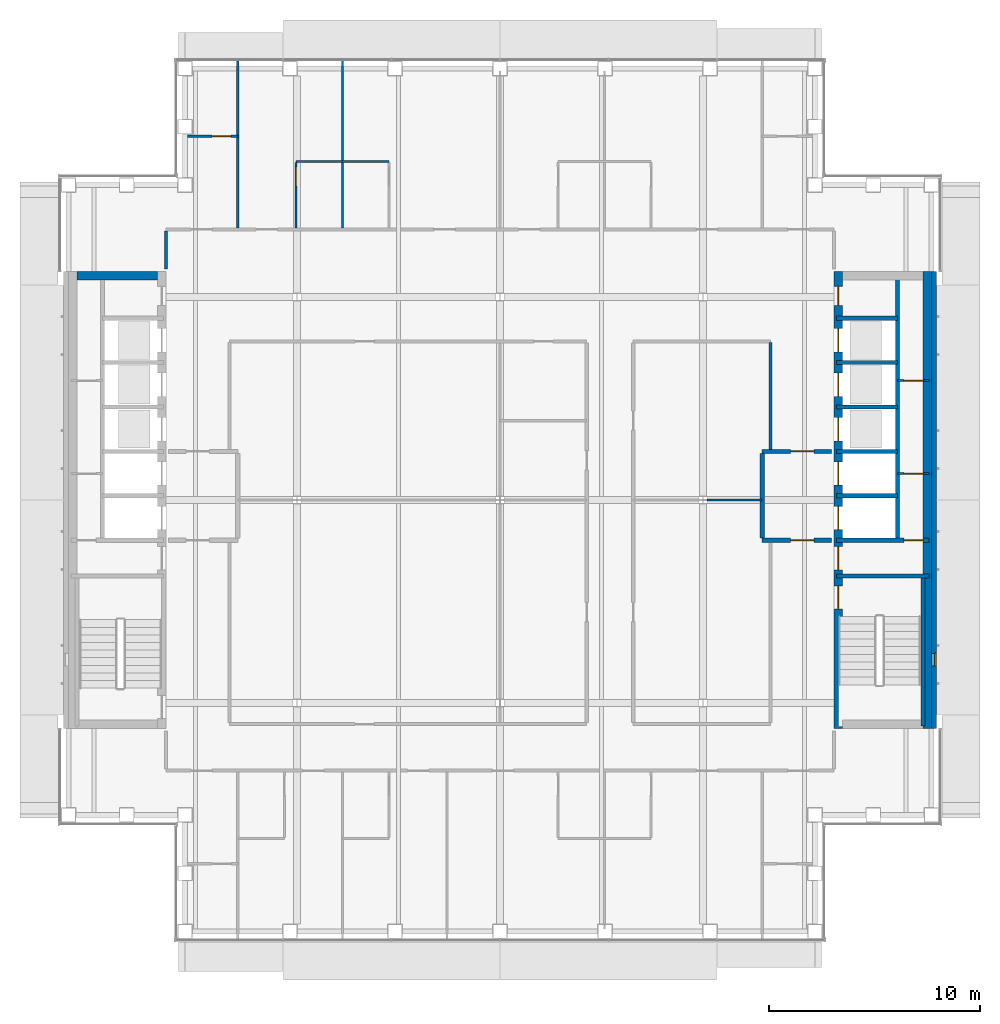
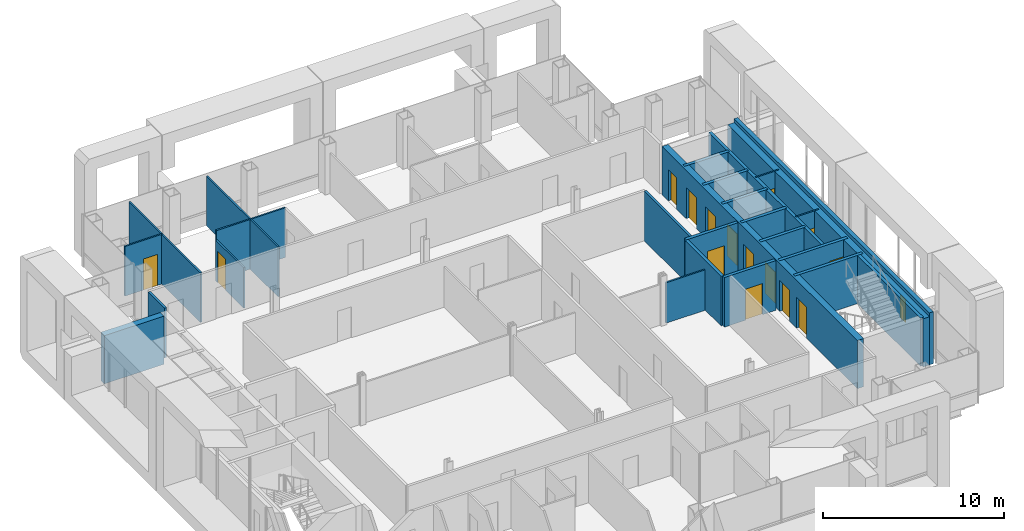
# One storey, part 11 of 19: 27 walls, 15 doors, 1 window, 16 openings.
"""IFC4 building model written with IfcOpenShell, lengths in metres."""

from ifc_helpers import new_model, si_unit, direction, frame, frame_2d, origin, place, context, subcontext, project, spatial, rectangle, extrude, material, layer, layer_set, type_object, element, fill, save


model = new_model("IFC4")

# Units and contexts
model_context = context("Model", 3, precision=1e-05, world=origin(), true_north=direction((0.0, 1.0)))
body_context = subcontext(model_context, "Body", "Model", "MODEL_VIEW")
ifc_project = project(units=[si_unit("LENGTHUNIT", "METRE"), si_unit("AREAUNIT", "SQUARE_METRE"), si_unit("VOLUMEUNIT", "CUBIC_METRE"), si_unit("PLANEANGLEUNIT", "RADIAN"), si_unit("MASSUNIT", "GRAM", prefix="KILO")], contexts=[model_context])

# Site, building, storey
site_placement = place(None, origin())
site = spatial("IfcSite", under=ifc_project, at=site_placement, CompositionType="ELEMENT")
building_placement = place(site_placement, origin())
building = spatial("IfcBuilding", under=site, at=building_placement, Name="Cobrizo Arcos Hotel Tower", CompositionType="ELEMENT")
storey_placement = place(building_placement, frame((0.0, 0.0, 205.0)))
storey = spatial("IfcBuildingStorey", under=building, at=storey_placement, Name="L53", CompositionType="ELEMENT", Elevation=205.0)

# Walls
ifc_material_1 = material(Name="Gypsum board partition")
ifc_layer_1 = layer(ifc_material_1, 0.14990234375)
ifc_layer_set_1 = layer_set([ifc_layer_1], Name="Corridor wall EI 60 150")
wall_type_1 = type_object("IfcWallType", Name="Corridor wall EI 60 150", PredefinedType="PARTITIONING", material=ifc_layer_set_1)
wall_1_placement = place(storey_placement, frame((-15.800048828125, 10.919921875, 0.0), z_axis=(0.0, 0.0, 1.0), x_axis=(0.0, 1.0, 0.0)))
element("IfcWall", 1, at=wall_1_placement, inside=storey, type_object=wall_type_1, Name="Partition 050", PredefinedType="PARTITIONING", context=body_context, shape_type="SweptSolid", body=[
    extrude(rectangle(XDim=1.80517578125, YDim=0.14990234375, at=frame_2d((0.902587890625, 0.0))), origin(), (0.0, 0.0, 1.0), 3.35009765625),
])
wall_2_placement = place(storey_placement, frame((12.800048828125, 2.39990234375, 0.0), z_axis=(0.0, 0.0, 1.0), x_axis=(0.0, 1.0, 0.0)))
element("IfcWall", 2, at=wall_2_placement, inside=storey, type_object=wall_type_1, Name="Partition 083", PredefinedType="PARTITIONING", context=body_context, shape_type="SweptSolid", body=[
    extrude(rectangle(XDim=5.050048828125, YDim=0.14990234375, at=frame_2d((2.52490234375, 0.0))), origin(), (0.0, 0.0, 1.0), 3.35009765625),
])

# Wall, opening, window
ifc_material_2 = material(Name="Aluminium composite panel pale metal", Category="aluminium")
ifc_layer_2 = layer(ifc_material_2, 0.25)
ifc_layer_set_2 = layer_set([ifc_layer_2], Name="EW-1 insulated panel wall 250")
wall_type_2 = type_object("IfcWallType", Name="EW-1 insulated panel wall 250", PredefinedType="SOLIDWALL", material=ifc_layer_set_2)
wall_3_placement = place(storey_placement, frame((20.52490234375, -10.800048828125, 0.0), z_axis=(0.0, 0.0, 1.0), x_axis=(0.0, 1.0, 0.0)))
wall_3 = element("IfcWall", 3, at=wall_3_placement, inside=storey, type_object=wall_type_2, Name="Core face wall L53 E", PredefinedType="SOLIDWALL", context=body_context, shape_type="SweptSolid", body=[
    extrude(rectangle(XDim=21.60009765625, YDim=0.25, at=frame_2d((10.800048828125, 0.0))), origin(), (0.0, 0.0, 1.0), 3.5),
])
opening_1_placement = place(wall_3_placement, frame((2.949951171875, 0.0, 1.0)))
opening_1 = element("IfcOpeningElement", 4, at=opening_1_placement, cuts=wall_3, Name="Opening W-119", PredefinedType="OPENING", context=body_context, shape_type="SweptSolid", body=[
    extrude(rectangle(XDim=0.60009765625, YDim=1.5, at=frame_2d((0.300048828125, 0.75))), frame((0.0, 0.136962890625, 0.0), z_axis=(0.0, -1.0, 0.0), x_axis=(1.0, 0.0, 0.0)), (0.0, 0.0, 1.0), 0.27392578125),
])
ifc_material_3 = material(Name="Aluminium 6063-T6 and clear laminated glass", Category="aluminium")
window_type = type_object("IfcWindowType", Name="W-C1 core stair slot window 600x1500", PartitioningType="SINGLE_PANEL", PredefinedType="WINDOW", material=ifc_material_3)
window_placement = place(opening_1_placement, origin())
window = element("IfcWindow", 5, at=window_placement, inside=storey, type_object=window_type, Name="Core face wall L53 E window W-119", OverallHeight=1.5, OverallWidth=0.60009765625, PartitioningType="SINGLE_PANEL", PredefinedType="WINDOW", context=body_context, shape_type="SweptSolid", body=[
    extrude(rectangle(XDim=0.60009765625, YDim=1.5, at=frame_2d((0.300048828125, 0.75))), frame((0.0, -0.034912109375, 0.0), z_axis=(0.0, -1.0, 0.0), x_axis=(1.0, 0.0, 0.0)), (0.0, 0.0, 1.0), 0.06005859375),
])
fill(opening_1, window)

# Wall
ifc_layer_3 = layer(ifc_material_1, 0.10009765625)
ifc_layer_set_3 = layer_set([ifc_layer_3], Name="Partition EI 30 100")
wall_type_3 = type_object("IfcWallType", Name="Partition EI 30 100", PredefinedType="PARTITIONING", material=ifc_layer_set_3)
wall_4_placement = place(storey_placement, frame((9.787109375, 0.0, 0.0), z_axis=(0.0, 0.0, 1.0), x_axis=(1.0, 0.0, 0.0)))
element("IfcWall", 6, at=wall_4_placement, inside=storey, type_object=wall_type_3, Name="Partition 022", PredefinedType="PARTITIONING", context=body_context, shape_type="SweptSolid", body=[
    extrude(rectangle(XDim=2.61279296875, YDim=0.10009765625, at=frame_2d((1.306396484375, 0.0))), origin(), (0.0, 0.0, 1.0), 2.72802734375),
])

# Wall, opening, door
wall_5_placement = place(storey_placement, frame((18.800048828125, 1.25, 0.0), z_axis=(0.0, 0.0, 1.0), x_axis=(1.0, 0.0, 0.0)))
wall_5 = element("IfcWall", 7, at=wall_5_placement, inside=storey, type_object=wall_type_3, Name="Partition 026", PredefinedType="PARTITIONING", context=body_context, shape_type="SweptSolid", body=[
    extrude(rectangle(XDim=1.47998046875, YDim=0.10009765625, at=frame_2d((0.739990234375, 0.0))), origin(), (0.0, 0.0, 1.0), 3.25),
])
opening_2_placement = place(wall_5_placement, frame((0.300048828125, 0.0, 0.0)))
opening_2 = element("IfcOpeningElement", 8, at=opening_2_placement, cuts=wall_5, Name="Opening RD-07", PredefinedType="OPENING", context=body_context, shape_type="SweptSolid", body=[
    extrude(rectangle(XDim=0.89990234375, YDim=2.10009765625, at=frame_2d((0.449951171875, 1.050048828125))), frame((0.0, 0.06201171875, 0.0), z_axis=(0.0, -1.0, 0.0), x_axis=(1.0, 0.0, 0.0)), (0.0, 0.0, 1.0), 0.1240234375),
])
ifc_material_4 = material(Name="Timber door leaf", Category="wood")
door_type_1 = type_object("IfcDoorType", Name="Room door FD30 900x2100", OperationType="SINGLE_SWING_LEFT", PredefinedType="DOOR", material=ifc_material_4)
door_1_placement = place(opening_2_placement, origin())
door_1 = element("IfcDoor", 9, at=door_1_placement, inside=storey, type_object=door_type_1, Name="Door RD-07", OperationType="SINGLE_SWING_LEFT", OverallHeight=2.10009765625, OverallWidth=0.89990234375, PredefinedType="DOOR", context=body_context, shape_type="SweptSolid", body=[
    extrude(rectangle(XDim=0.89990234375, YDim=2.10009765625, at=frame_2d((0.449951171875, 1.050048828125))), frame((0.0, 0.02490234375, 0.0), z_axis=(0.0, -1.0, 0.0), x_axis=(1.0, 0.0, 0.0)), (0.0, 0.0, 1.0), 0.050048828125),
])
fill(opening_2, door_1)

wall_6_placement = place(storey_placement, frame((18.800048828125, 5.64990234375, 0.0), z_axis=(0.0, 0.0, 1.0), x_axis=(1.0, 0.0, 0.0)))
wall_6 = element("IfcWall", 10, at=wall_6_placement, inside=storey, type_object=wall_type_3, Name="Partition 035", PredefinedType="PARTITIONING", context=body_context, shape_type="SweptSolid", body=[
    extrude(rectangle(XDim=1.47998046875, YDim=0.10009765625, at=frame_2d((0.739990234375, 0.0))), origin(), (0.0, 0.0, 1.0), 3.25),
])
opening_3_placement = place(wall_6_placement, frame((0.300048828125, 0.0, 0.0)))
opening_3 = element("IfcOpeningElement", 11, at=opening_3_placement, cuts=wall_6, Name="Opening RD-08", PredefinedType="OPENING", context=body_context, shape_type="SweptSolid", body=[
    extrude(rectangle(XDim=0.89990234375, YDim=2.10009765625, at=frame_2d((0.449951171875, 1.050048828125))), frame((0.0, 0.06201171875, 0.0), z_axis=(0.0, -1.0, 0.0), x_axis=(1.0, 0.0, 0.0)), (0.0, 0.0, 1.0), 0.1240234375),
])
door_2_placement = place(opening_3_placement, origin())
door_2 = element("IfcDoor", 12, at=door_2_placement, inside=storey, type_object=door_type_1, Name="Door RD-08", OperationType="SINGLE_SWING_LEFT", OverallHeight=2.10009765625, OverallWidth=0.89990234375, PredefinedType="DOOR", context=body_context, shape_type="SweptSolid", body=[
    extrude(rectangle(XDim=0.89990234375, YDim=2.10009765625, at=frame_2d((0.449951171875, 1.050048828125))), frame((0.0, 0.02490234375, 0.0), z_axis=(0.0, -1.0, 0.0), x_axis=(1.0, 0.0, 0.0)), (0.0, 0.0, 1.0), 0.050048828125),
])
fill(opening_3, door_2)

# Wall
wall_7_placement = place(storey_placement, frame((-9.64990234375, 16.0, 0.0), z_axis=(0.0, 0.0, 1.0), x_axis=(1.0, 0.0, 0.0)))
element("IfcWall", 13, at=wall_7_placement, inside=storey, type_object=wall_type_3, Name="Partition 043", PredefinedType="PARTITIONING", context=body_context, shape_type="SweptSolid", body=[
    extrude(rectangle(XDim=4.39990234375, YDim=0.10009765625, at=frame_2d((2.199951171875, 0.0))), origin(), (0.0, 0.0, 1.0), 3.35009765625),
])

# Wall, opening, door
wall_8_placement = place(storey_placement, frame((-14.780029296875, 17.199951171875, 0.0), z_axis=(0.0, 0.0, 1.0), x_axis=(1.0, 0.0, 0.0)))
wall_8 = element("IfcWall", 14, at=wall_8_placement, inside=storey, type_object=wall_type_3, Name="Partition 045", PredefinedType="PARTITIONING", context=body_context, shape_type="SweptSolid", body=[
    extrude(rectangle(XDim=2.380126953125, YDim=0.10009765625, at=frame_2d((1.18994140625, 0.0))), origin(), (0.0, 0.0, 1.0), 3.35009765625),
])
opening_4_placement = place(wall_8_placement, frame((1.16796875, 0.0, 0.0)))
opening_4 = element("IfcOpeningElement", 15, at=opening_4_placement, cuts=wall_8, Name="Opening ED-10", PredefinedType="OPENING", context=body_context, shape_type="SweptSolid", body=[
    extrude(rectangle(XDim=0.89990234375, YDim=2.10009765625, at=frame_2d((0.449951171875, 1.050048828125))), frame((0.0, 0.06201171875, 0.0), z_axis=(0.0, -1.0, 0.0), x_axis=(1.0, 0.0, 0.0)), (0.0, 0.0, 1.0), 0.1240234375),
])
door_type_2 = type_object("IfcDoorType", Name="En-suite door 900x2100", OperationType="SINGLE_SWING_LEFT", PredefinedType="DOOR", material=ifc_material_4)
door_3_placement = place(opening_4_placement, origin())
door_3 = element("IfcDoor", 16, at=door_3_placement, inside=storey, type_object=door_type_2, Name="Door ED-10", OperationType="SINGLE_SWING_LEFT", OverallHeight=2.10009765625, OverallWidth=0.89990234375, PredefinedType="DOOR", context=body_context, shape_type="SweptSolid", body=[
    extrude(rectangle(XDim=0.89990234375, YDim=2.10009765625, at=frame_2d((0.449951171875, 1.050048828125))), frame((0.0, 0.02490234375, 0.0), z_axis=(0.0, -1.0, 0.0), x_axis=(1.0, 0.0, 0.0)), (0.0, 0.0, 1.0), 0.050048828125),
])
fill(opening_4, door_3)

# Wall
wall_9_placement = place(storey_placement, frame((-12.39990234375, 12.875, 0.0), z_axis=(0.0, 0.0, 1.0), x_axis=(0.0, 1.0, 0.0)))
element("IfcWall", 17, at=wall_9_placement, inside=storey, type_object=wall_type_3, Name="Partition 055", PredefinedType="PARTITIONING", context=body_context, shape_type="SweptSolid", body=[
    extrude(rectangle(XDim=7.905029296875, YDim=0.10009765625, at=frame_2d((3.95263671875, 0.0))), origin(), (0.0, 0.0, 1.0), 3.35009765625),
])

# Wall, opening, door
wall_10_placement = place(storey_placement, frame((-9.64990234375, 12.875, 0.0), z_axis=(0.0, 0.0, 1.0), x_axis=(0.0, 1.0, 0.0)))
wall_10 = element("IfcWall", 18, at=wall_10_placement, inside=storey, type_object=wall_type_3, Name="Partition 057", PredefinedType="PARTITIONING", context=body_context, shape_type="SweptSolid", body=[
    extrude(rectangle(XDim=3.074951171875, YDim=0.10009765625, at=frame_2d((1.53759765625, 0.0))), origin(), (0.0, 0.0, 1.0), 2.72802734375),
])
opening_5_placement = place(wall_10_placement, frame((1.970947265625, 0.0, 0.0)))
opening_5 = element("IfcOpeningElement", 19, at=opening_5_placement, cuts=wall_10, Name="Opening ED-01", PredefinedType="OPENING", context=body_context, shape_type="SweptSolid", body=[
    extrude(rectangle(XDim=0.89990234375, YDim=2.10009765625, at=frame_2d((0.449951171875, 1.050048828125))), frame((0.0, 0.06201171875, 0.0), z_axis=(0.0, -1.0, 0.0), x_axis=(1.0, 0.0, 0.0)), (0.0, 0.0, 1.0), 0.1240234375),
])
door_4_placement = place(opening_5_placement, origin())
door_4 = element("IfcDoor", 20, at=door_4_placement, inside=storey, type_object=door_type_2, Name="Door ED-01", OperationType="SINGLE_SWING_RIGHT", OverallHeight=2.10009765625, OverallWidth=0.89990234375, PredefinedType="DOOR", context=body_context, shape_type="SweptSolid", body=[
    extrude(rectangle(XDim=0.89990234375, YDim=2.10009765625, at=frame_2d((0.449951171875, 1.050048828125))), frame((0.0, 0.02490234375, 0.0), z_axis=(0.0, -1.0, 0.0), x_axis=(1.0, 0.0, 0.0)), (0.0, 0.0, 1.0), 0.050048828125),
])
fill(opening_5, door_4)

# Walls
wall_11_placement = place(storey_placement, frame((-7.449951171875, 12.875, 0.0), z_axis=(0.0, 0.0, 1.0), x_axis=(0.0, 1.0, 0.0)))
element("IfcWall", 21, at=wall_11_placement, inside=storey, type_object=wall_type_3, Name="Partition 059", PredefinedType="PARTITIONING", context=body_context, shape_type="SweptSolid", body=[
    extrude(rectangle(XDim=3.074951171875, YDim=0.10009765625, at=frame_2d((1.53759765625, 0.0))), origin(), (0.0, 0.0, 1.0), 3.35009765625),
])
wall_12_placement = place(storey_placement, frame((-7.449951171875, 16.050048828125, 0.0), z_axis=(0.0, 0.0, 1.0), x_axis=(0.0, 1.0, 0.0)))
element("IfcWall", 22, at=wall_12_placement, inside=storey, type_object=wall_type_3, Name="Partition 060", PredefinedType="PARTITIONING", context=body_context, shape_type="SweptSolid", body=[
    extrude(rectangle(XDim=4.72998046875, YDim=0.10009765625, at=frame_2d((2.364990234375, 0.0))), origin(), (0.0, 0.0, 1.0), 3.35009765625),
])

# Wall, openings, doors
ifc_material_5 = material(Name="Concrete f'c 40 MPa", Category="concrete")
ifc_layer_4 = layer(ifc_material_5, 0.39990234375)
ifc_layer_set_4 = layer_set([ifc_layer_4], Name="RC core wall 400 f'c 40")
wall_type_4 = type_object("IfcWallType", Name="RC core wall 400 f'c 40", PredefinedType="SHEAR", material=ifc_layer_set_4)
wall_13_placement = place(storey_placement, frame((16.0, -10.800048828125, 0.0), z_axis=(0.0, 0.0, 1.0), x_axis=(0.0, 1.0, 0.0)))
wall_13 = element("IfcWall", 23, at=wall_13_placement, inside=storey, type_object=wall_type_4, Name="Core wall CW4, east core, inner face, L53", PredefinedType="SHEAR", context=body_context, shape_type="SweptSolid", body=[
    extrude(rectangle(XDim=21.60009765625, YDim=0.39990234375, at=frame_2d((10.800048828125, 0.0))), origin(), (0.0, 0.0, 1.0), 3.25),
])
opening_6_placement = place(wall_13_placement, frame((9.39990234375, 0.0, 0.0)))
opening_6 = element("IfcOpeningElement", 24, at=opening_6_placement, cuts=wall_13, Name="Opening LD-06", PredefinedType="OPENING", context=body_context, shape_type="SweptSolid", body=[
    extrude(rectangle(XDim=1.10009765625, YDim=2.10009765625, at=frame_2d((0.550048828125, 1.050048828125))), frame((0.0, 0.2119140625, 0.0), z_axis=(0.0, -1.0, 0.0), x_axis=(1.0, 0.0, 0.0)), (0.0, 0.0, 1.0), 0.423828125),
])
opening_7_placement = place(wall_13_placement, frame((11.5, 0.0, 0.0)))
opening_7 = element("IfcOpeningElement", 25, at=opening_7_placement, cuts=wall_13, Name="Opening LD-07", PredefinedType="OPENING", context=body_context, shape_type="SweptSolid", body=[
    extrude(rectangle(XDim=1.10009765625, YDim=2.10009765625, at=frame_2d((0.550048828125, 1.050048828125))), frame((0.0, 0.2119140625, 0.0), z_axis=(0.0, -1.0, 0.0), x_axis=(1.0, 0.0, 0.0)), (0.0, 0.0, 1.0), 0.423828125),
])
opening_8_placement = place(wall_13_placement, frame((13.60009765625, 0.0, 0.0)))
opening_8 = element("IfcOpeningElement", 26, at=opening_8_placement, cuts=wall_13, Name="Opening LD-08", PredefinedType="OPENING", context=body_context, shape_type="SweptSolid", body=[
    extrude(rectangle(XDim=1.10009765625, YDim=2.10009765625, at=frame_2d((0.550048828125, 1.050048828125))), frame((0.0, 0.2119140625, 0.0), z_axis=(0.0, -1.0, 0.0), x_axis=(1.0, 0.0, 0.0)), (0.0, 0.0, 1.0), 0.423828125),
])
opening_9_placement = place(wall_13_placement, frame((15.699951171875, 0.0, 0.0)))
opening_9 = element("IfcOpeningElement", 27, at=opening_9_placement, cuts=wall_13, Name="Opening LD-09", PredefinedType="OPENING", context=body_context, shape_type="SweptSolid", body=[
    extrude(rectangle(XDim=1.10009765625, YDim=2.10009765625, at=frame_2d((0.550048828125, 1.050048828125))), frame((0.0, 0.2119140625, 0.0), z_axis=(0.0, -1.0, 0.0), x_axis=(1.0, 0.0, 0.0)), (0.0, 0.0, 1.0), 0.423828125),
])
opening_10_placement = place(wall_13_placement, frame((17.800048828125, 0.0, 0.0)))
opening_10 = element("IfcOpeningElement", 28, at=opening_10_placement, cuts=wall_13, Name="Opening LD-10", PredefinedType="OPENING", context=body_context, shape_type="SweptSolid", body=[
    extrude(rectangle(XDim=1.10009765625, YDim=2.10009765625, at=frame_2d((0.550048828125, 1.050048828125))), frame((0.0, 0.2119140625, 0.0), z_axis=(0.0, -1.0, 0.0), x_axis=(1.0, 0.0, 0.0)), (0.0, 0.0, 1.0), 0.423828125),
])
opening_11_placement = place(wall_13_placement, frame((5.64208984375, 0.0, 0.0)))
opening_11 = element("IfcOpeningElement", 29, at=opening_11_placement, cuts=wall_13, Name="Opening SD-02", PredefinedType="OPENING", context=body_context, shape_type="SweptSolid", body=[
    extrude(rectangle(XDim=1.10009765625, YDim=2.10009765625, at=frame_2d((0.550048828125, 1.050048828125))), frame((0.0, 0.2119140625, 0.0), z_axis=(0.0, -1.0, 0.0), x_axis=(1.0, 0.0, 0.0)), (0.0, 0.0, 1.0), 0.423828125),
])
opening_12_placement = place(wall_13_placement, frame((7.5, 0.0, 0.0)))
opening_12 = element("IfcOpeningElement", 30, at=opening_12_placement, cuts=wall_13, Name="Opening FD-04", PredefinedType="OPENING", context=body_context, shape_type="SweptSolid", body=[
    extrude(rectangle(XDim=1.10009765625, YDim=2.10009765625, at=frame_2d((0.550048828125, 1.050048828125))), frame((0.0, 0.2119140625, 0.0), z_axis=(0.0, -1.0, 0.0), x_axis=(1.0, 0.0, 0.0)), (0.0, 0.0, 1.0), 0.423828125),
])
opening_13_placement = place(wall_13_placement, frame((20.0, 0.0, 0.0)))
opening_13 = element("IfcOpeningElement", 31, at=opening_13_placement, cuts=wall_13, Name="Opening RD-05", PredefinedType="OPENING", context=body_context, shape_type="SweptSolid", body=[
    extrude(rectangle(XDim=0.89990234375, YDim=2.10009765625, at=frame_2d((0.449951171875, 1.050048828125))), frame((0.0, 0.2119140625, 0.0), z_axis=(0.0, -1.0, 0.0), x_axis=(1.0, 0.0, 0.0)), (0.0, 0.0, 1.0), 0.423828125),
])
ifc_material_6 = material(Name="Steel door leaf", Category="steel")
door_type_3 = type_object("IfcDoorType", Name="Fire door FD60 1100x2100", OperationType="SINGLE_SWING_LEFT", PredefinedType="DOOR", material=ifc_material_6)
door_5_placement = place(opening_12_placement, origin())
door_5 = element("IfcDoor", 32, at=door_5_placement, inside=storey, type_object=door_type_3, Name="Door FD-04", OperationType="SINGLE_SWING_LEFT", OverallHeight=2.10009765625, OverallWidth=1.10009765625, PredefinedType="DOOR", context=body_context, shape_type="SweptSolid", body=[
    extrude(rectangle(XDim=1.10009765625, YDim=2.10009765625, at=frame_2d((0.550048828125, 1.050048828125))), frame((0.0, 0.02490234375, 0.0), z_axis=(0.0, -1.0, 0.0), x_axis=(1.0, 0.0, 0.0)), (0.0, 0.0, 1.0), 0.050048828125),
])
fill(opening_12, door_5)
door_type_4 = type_object("IfcDoorType", Name="Lift landing door 1100x2100", OperationType="SLIDING_TO_LEFT", PredefinedType="DOOR", material=ifc_material_6)
door_6_placement = place(opening_6_placement, origin())
door_6 = element("IfcDoor", 33, at=door_6_placement, inside=storey, type_object=door_type_4, Name="Lift landing door LD-06", OperationType="SLIDING_TO_LEFT", OverallHeight=2.10009765625, OverallWidth=1.10009765625, PredefinedType="DOOR", context=body_context, shape_type="SweptSolid", body=[
    extrude(rectangle(XDim=1.10009765625, YDim=2.10009765625, at=frame_2d((0.550048828125, 1.050048828125))), frame((0.0, 0.02490234375, 0.0), z_axis=(0.0, -1.0, 0.0), x_axis=(1.0, 0.0, 0.0)), (0.0, 0.0, 1.0), 0.050048828125),
])
fill(opening_6, door_6)
door_7_placement = place(opening_7_placement, origin())
door_7 = element("IfcDoor", 34, at=door_7_placement, inside=storey, type_object=door_type_4, Name="Lift landing door LD-07", OperationType="SLIDING_TO_LEFT", OverallHeight=2.10009765625, OverallWidth=1.10009765625, PredefinedType="DOOR", context=body_context, shape_type="SweptSolid", body=[
    extrude(rectangle(XDim=1.10009765625, YDim=2.10009765625, at=frame_2d((0.550048828125, 1.050048828125))), frame((0.0, 0.02490234375, 0.0), z_axis=(0.0, -1.0, 0.0), x_axis=(1.0, 0.0, 0.0)), (0.0, 0.0, 1.0), 0.050048828125),
])
fill(opening_7, door_7)
door_8_placement = place(opening_8_placement, origin())
door_8 = element("IfcDoor", 35, at=door_8_placement, inside=storey, type_object=door_type_4, Name="Lift landing door LD-08", OperationType="SLIDING_TO_LEFT", OverallHeight=2.10009765625, OverallWidth=1.10009765625, PredefinedType="DOOR", context=body_context, shape_type="SweptSolid", body=[
    extrude(rectangle(XDim=1.10009765625, YDim=2.10009765625, at=frame_2d((0.550048828125, 1.050048828125))), frame((0.0, 0.02490234375, 0.0), z_axis=(0.0, -1.0, 0.0), x_axis=(1.0, 0.0, 0.0)), (0.0, 0.0, 1.0), 0.050048828125),
])
fill(opening_8, door_8)
door_9_placement = place(opening_9_placement, origin())
door_9 = element("IfcDoor", 36, at=door_9_placement, inside=storey, type_object=door_type_4, Name="Lift landing door LD-09", OperationType="SLIDING_TO_LEFT", OverallHeight=2.10009765625, OverallWidth=1.10009765625, PredefinedType="DOOR", context=body_context, shape_type="SweptSolid", body=[
    extrude(rectangle(XDim=1.10009765625, YDim=2.10009765625, at=frame_2d((0.550048828125, 1.050048828125))), frame((0.0, 0.02490234375, 0.0), z_axis=(0.0, -1.0, 0.0), x_axis=(1.0, 0.0, 0.0)), (0.0, 0.0, 1.0), 0.050048828125),
])
fill(opening_9, door_9)
door_10_placement = place(opening_10_placement, origin())
door_10 = element("IfcDoor", 37, at=door_10_placement, inside=storey, type_object=door_type_4, Name="Lift landing door LD-10", OperationType="SLIDING_TO_LEFT", OverallHeight=2.10009765625, OverallWidth=1.10009765625, PredefinedType="DOOR", context=body_context, shape_type="SweptSolid", body=[
    extrude(rectangle(XDim=1.10009765625, YDim=2.10009765625, at=frame_2d((0.550048828125, 1.050048828125))), frame((0.0, 0.02490234375, 0.0), z_axis=(0.0, -1.0, 0.0), x_axis=(1.0, 0.0, 0.0)), (0.0, 0.0, 1.0), 0.050048828125),
])
fill(opening_10, door_10)
door_11_placement = place(opening_13_placement, origin())
door_11 = element("IfcDoor", 38, at=door_11_placement, inside=storey, type_object=door_type_1, Name="Door RD-05", OperationType="SINGLE_SWING_RIGHT", OverallHeight=2.10009765625, OverallWidth=0.89990234375, PredefinedType="DOOR", context=body_context, shape_type="SweptSolid", body=[
    extrude(rectangle(XDim=0.89990234375, YDim=2.10009765625, at=frame_2d((0.449951171875, 1.050048828125))), frame((0.0, 0.02490234375, 0.0), z_axis=(0.0, -1.0, 0.0), x_axis=(1.0, 0.0, 0.0)), (0.0, 0.0, 1.0), 0.050048828125),
])
fill(opening_13, door_11)
door_type_5 = type_object("IfcDoorType", Name="Stair door FD60S 1100x2100", OperationType="SINGLE_SWING_LEFT", PredefinedType="DOOR", material=ifc_material_6)
door_12_placement = place(opening_11_placement, origin())
door_12 = element("IfcDoor", 39, at=door_12_placement, inside=storey, type_object=door_type_5, Name="Door SD-02", OperationType="SINGLE_SWING_LEFT", OverallHeight=2.10009765625, OverallWidth=1.10009765625, PredefinedType="DOOR", context=body_context, shape_type="SweptSolid", body=[
    extrude(rectangle(XDim=1.10009765625, YDim=2.10009765625, at=frame_2d((0.550048828125, 1.050048828125))), frame((0.0, 0.02490234375, 0.0), z_axis=(0.0, -1.0, 0.0), x_axis=(1.0, 0.0, 0.0)), (0.0, 0.0, 1.0), 0.050048828125),
])
fill(opening_11, door_12)

# Walls
wall_14_placement = place(storey_placement, frame((20.199951171875, -10.800048828125, 0.0), z_axis=(0.0, 0.0, 1.0), x_axis=(0.0, 1.0, 0.0)))
element("IfcWall", 40, at=wall_14_placement, inside=storey, type_object=wall_type_4, Name="Core wall CW4, east core, outer face, L53", PredefinedType="SHEAR", context=body_context, shape_type="SweptSolid", body=[
    extrude(rectangle(XDim=21.60009765625, YDim=0.39990234375, at=frame_2d((10.800048828125, 0.0))), origin(), (0.0, 0.0, 1.0), 3.25),
])
wall_15_placement = place(storey_placement, frame((-20.0, 10.60009765625, 0.0), z_axis=(0.0, 0.0, 1.0), x_axis=(1.0, 0.0, 0.0)))
element("IfcWall", 41, at=wall_15_placement, inside=storey, type_object=wall_type_4, Name="Core wall CW4, west core, north end, L53", PredefinedType="SHEAR", context=body_context, shape_type="SweptSolid", body=[
    extrude(rectangle(XDim=3.800048828125, YDim=0.39990234375, at=frame_2d((1.89990234375, 0.0))), origin(), (0.0, 0.0, 1.0), 3.25),
])

# Wall, opening, door
ifc_layer_5 = layer(ifc_material_1, 0.199951171875)
ifc_layer_set_5 = layer_set([ifc_layer_5], Name="Shaft wall EI 120 200")
wall_type_5 = type_object("IfcWallType", Name="Shaft wall EI 120 200", PredefinedType="PARTITIONING", material=ifc_layer_set_5)
wall_16_placement = place(storey_placement, frame((12.39990234375, -1.89990234375, 0.0), z_axis=(0.0, 0.0, 1.0), x_axis=(1.0, 0.0, 0.0)))
wall_16 = element("IfcWall", 42, at=wall_16_placement, inside=storey, type_object=wall_type_5, Name="Partition 013", PredefinedType="PARTITIONING", context=body_context, shape_type="SweptSolid", body=[
    extrude(rectangle(XDim=3.280029296875, YDim=0.199951171875, at=frame_2d((1.64013671875, 0.0))), origin(), (0.0, 0.0, 1.0), 3.35009765625),
])
opening_14_placement = place(wall_16_placement, frame((1.340087890625, 0.0, 0.0)))
opening_14 = element("IfcOpeningElement", 43, at=opening_14_placement, cuts=wall_16, Name="Opening FD-06", PredefinedType="OPENING", context=body_context, shape_type="SweptSolid", body=[
    extrude(rectangle(XDim=1.10009765625, YDim=2.10009765625, at=frame_2d((0.550048828125, 1.050048828125))), frame((0.0, 0.112060546875, 0.0), z_axis=(0.0, -1.0, 0.0), x_axis=(1.0, 0.0, 0.0)), (0.0, 0.0, 1.0), 0.223876953125),
])
door_13_placement = place(opening_14_placement, origin())
door_13 = element("IfcDoor", 44, at=door_13_placement, inside=storey, type_object=door_type_3, Name="Door FD-06", OperationType="SINGLE_SWING_RIGHT", OverallHeight=2.10009765625, OverallWidth=1.10009765625, PredefinedType="DOOR", context=body_context, shape_type="SweptSolid", body=[
    extrude(rectangle(XDim=1.10009765625, YDim=2.10009765625, at=frame_2d((0.550048828125, 1.050048828125))), frame((0.0, 0.02490234375, 0.0), z_axis=(0.0, -1.0, 0.0), x_axis=(1.0, 0.0, 0.0)), (0.0, 0.0, 1.0), 0.050048828125),
])
fill(opening_14, door_13)

wall_17_placement = place(storey_placement, frame((15.919921875, -1.89990234375, 0.0), z_axis=(0.0, 0.0, 1.0), x_axis=(1.0, 0.0, 0.0)))
wall_17 = element("IfcWall", 45, at=wall_17_placement, inside=storey, type_object=wall_type_5, Name="Partition 014", PredefinedType="PARTITIONING", context=body_context, shape_type="SweptSolid", body=[
    extrude(rectangle(XDim=4.360107421875, YDim=0.199951171875, at=frame_2d((2.18017578125, 0.0))), origin(), (0.0, 0.0, 1.0), 3.25),
])
opening_15_placement = place(wall_17_placement, frame((3.179931640625, 0.0, 0.0)))
opening_15 = element("IfcOpeningElement", 46, at=opening_15_placement, cuts=wall_17, Name="Opening RD-06", PredefinedType="OPENING", context=body_context, shape_type="SweptSolid", body=[
    extrude(rectangle(XDim=0.89990234375, YDim=2.10009765625, at=frame_2d((0.449951171875, 1.050048828125))), frame((0.0, 0.112060546875, 0.0), z_axis=(0.0, -1.0, 0.0), x_axis=(1.0, 0.0, 0.0)), (0.0, 0.0, 1.0), 0.223876953125),
])
door_14_placement = place(opening_15_placement, origin())
door_14 = element("IfcDoor", 47, at=door_14_placement, inside=storey, type_object=door_type_1, Name="Door RD-06", OperationType="SINGLE_SWING_RIGHT", OverallHeight=2.10009765625, OverallWidth=0.89990234375, PredefinedType="DOOR", context=body_context, shape_type="SweptSolid", body=[
    extrude(rectangle(XDim=0.89990234375, YDim=2.10009765625, at=frame_2d((0.449951171875, 1.050048828125))), frame((0.0, 0.02490234375, 0.0), z_axis=(0.0, -1.0, 0.0), x_axis=(1.0, 0.0, 0.0)), (0.0, 0.0, 1.0), 0.050048828125),
])
fill(opening_15, door_14)

# Wall
wall_18_placement = place(storey_placement, frame((15.919921875, 0.199951171875, 0.0), z_axis=(0.0, 0.0, 1.0), x_axis=(1.0, 0.0, 0.0)))
element("IfcWall", 48, at=wall_18_placement, inside=storey, type_object=wall_type_5, Name="Partition 024", PredefinedType="PARTITIONING", context=body_context, shape_type="SweptSolid", body=[
    extrude(rectangle(XDim=2.880126953125, YDim=0.199951171875, at=frame_2d((1.43994140625, 0.0))), origin(), (0.0, 0.0, 1.0), 3.25),
])

# Wall, opening, door
wall_19_placement = place(storey_placement, frame((12.39990234375, 2.300048828125, 0.0), z_axis=(0.0, 0.0, 1.0), x_axis=(1.0, 0.0, 0.0)))
wall_19 = element("IfcWall", 49, at=wall_19_placement, inside=storey, type_object=wall_type_5, Name="Partition 029", PredefinedType="PARTITIONING", context=body_context, shape_type="SweptSolid", body=[
    extrude(rectangle(XDim=3.280029296875, YDim=0.199951171875, at=frame_2d((1.64013671875, 0.0))), origin(), (0.0, 0.0, 1.0), 3.35009765625),
])
opening_16_placement = place(wall_19_placement, frame((1.340087890625, 0.0, 0.0)))
opening_16 = element("IfcOpeningElement", 50, at=opening_16_placement, cuts=wall_19, Name="Opening FD-05", PredefinedType="OPENING", context=body_context, shape_type="SweptSolid", body=[
    extrude(rectangle(XDim=1.10009765625, YDim=2.10009765625, at=frame_2d((0.550048828125, 1.050048828125))), frame((0.0, 0.112060546875, 0.0), z_axis=(0.0, -1.0, 0.0), x_axis=(1.0, 0.0, 0.0)), (0.0, 0.0, 1.0), 0.223876953125),
])
door_15_placement = place(opening_16_placement, origin())
door_15 = element("IfcDoor", 51, at=door_15_placement, inside=storey, type_object=door_type_3, Name="Door FD-05", OperationType="SINGLE_SWING_RIGHT", OverallHeight=2.10009765625, OverallWidth=1.10009765625, PredefinedType="DOOR", context=body_context, shape_type="SweptSolid", body=[
    extrude(rectangle(XDim=1.10009765625, YDim=2.10009765625, at=frame_2d((0.550048828125, 1.050048828125))), frame((0.0, 0.02490234375, 0.0), z_axis=(0.0, -1.0, 0.0), x_axis=(1.0, 0.0, 0.0)), (0.0, 0.0, 1.0), 0.050048828125),
])
fill(opening_16, door_15)

# Walls
for number, where, z_axis, x_axis, name in (
    (52, (15.919921875, 2.300048828125, 0.0), (0.0, 0.0, 1.0), (1.0, 0.0, 0.0), "Partition 030"),
    (53, (15.919921875, 4.39990234375, 0.0), (0.0, 0.0, 1.0), (1.0, 0.0, 0.0), "Partition 033"),
    (54, (15.919921875, 6.5, 0.0), (0.0, 0.0, 1.0), (1.0, 0.0, 0.0), "Partition 037"),
    (55, (15.919921875, 8.60009765625, 0.0), (0.0, 0.0, 1.0), (1.0, 0.0, 0.0), "Partition 041"),
):
    element("IfcWall", number, at=place(storey_placement, frame(where, z_axis=z_axis, x_axis=x_axis)), inside=storey, type_object=wall_type_5, Name=name, PredefinedType="PARTITIONING", context=body_context, shape_type="SweptSolid", body=[
        extrude(rectangle(XDim=2.880126953125, YDim=0.199951171875, at=frame_2d((1.43994140625, 0.0))), origin(), (0.0, 0.0, 1.0), 3.25),
    ])
wall_20_placement = place(storey_placement, frame((12.39990234375, -1.800048828125, 0.0), z_axis=(0.0, 0.0, 1.0), x_axis=(0.0, 1.0, 0.0)))
element("IfcWall", 56, at=wall_20_placement, inside=storey, type_object=wall_type_5, Name="Partition 080", PredefinedType="PARTITIONING", context=body_context, shape_type="SweptSolid", body=[
    extrude(rectangle(XDim=4.0, YDim=0.199951171875, at=frame_2d((2.0, 0.0))), origin(), (0.0, 0.0, 1.0), 3.35009765625),
])
wall_21_placement = place(storey_placement, frame((18.800048828125, -1.800048828125, 0.0), z_axis=(0.0, 0.0, 1.0), x_axis=(0.0, 1.0, 0.0)))
element("IfcWall", 57, at=wall_21_placement, inside=storey, type_object=wall_type_5, Name="Partition 086", PredefinedType="PARTITIONING", context=body_context, shape_type="SweptSolid", body=[
    extrude(rectangle(XDim=12.47998046875, YDim=0.199951171875, at=frame_2d((6.239990234375, 0.0))), origin(), (0.0, 0.0, 1.0), 3.25),
])
ifc_layer_6 = layer(ifc_material_5, 0.199951171875)
ifc_layer_set_6 = layer_set([ifc_layer_6], Name="Stair shaft wall 200")
wall_type_6 = type_object("IfcWallType", Name="Stair shaft wall 200", PredefinedType="SHEAR", material=ifc_layer_set_6)
wall_22_placement = place(storey_placement, frame((15.919921875, -3.60009765625, 0.0), z_axis=(0.0, 0.0, 1.0), x_axis=(1.0, 0.0, 0.0)))
element("IfcWall", 58, at=wall_22_placement, inside=storey, type_object=wall_type_6, Name="Stair shaft wall E", PredefinedType="SHEAR", context=body_context, shape_type="SweptSolid", body=[
    extrude(rectangle(XDim=4.360107421875, YDim=0.199951171875, at=frame_2d((2.18017578125, 0.0))), origin(), (0.0, 0.0, 1.0), 3.25),
])
wall_23_placement = place(storey_placement, frame((20.0, -10.679931640625, 0.0), z_axis=(0.0, 0.0, 1.0), x_axis=(0.0, 1.0, 0.0)))
element("IfcWall", 59, at=wall_23_placement, inside=storey, type_object=wall_type_6, Name="Stair shaft wall E", PredefinedType="SHEAR", context=body_context, shape_type="SweptSolid", body=[
    extrude(rectangle(XDim=6.97998046875, YDim=0.199951171875, at=frame_2d((3.489990234375, 0.0))), origin(), (0.0, 0.0, 1.0), 3.25),
])

save(model, "model.ifc")
